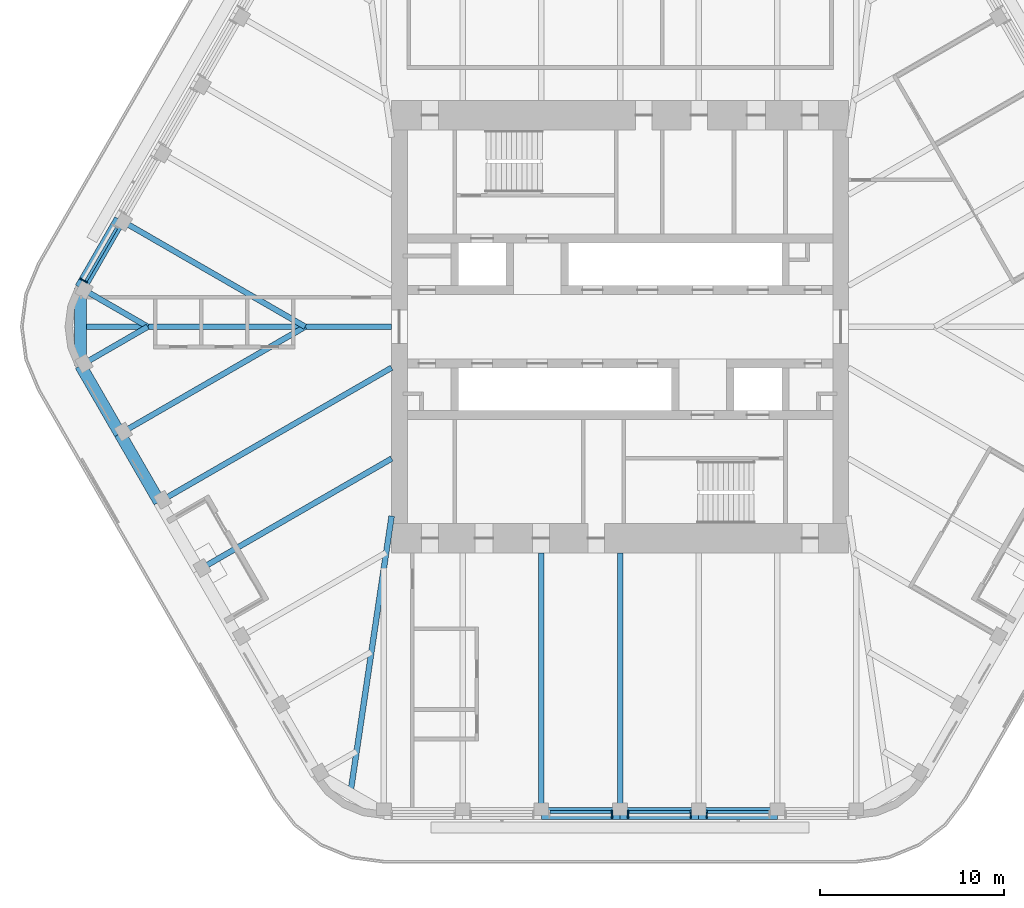
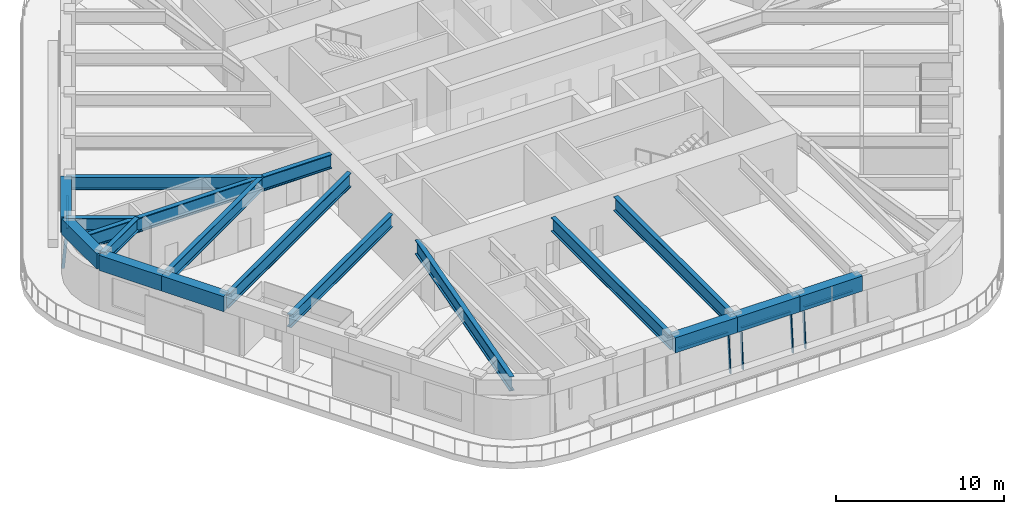
# One storey, part 3 of 19: 17 beams, 9 members, 4 elements without a shape of their own.
"""IFC4 building model written with IfcOpenShell, lengths in metres."""

from ifc_helpers import new_model, si_unit, direction, frame, origin, origin_2d, place, context, subcontext, project, spatial, rectangle, i_section, extrude, material, material_profile, profile_set, type_object, element, aggregate, save


model = new_model("IFC4")

# Units and contexts
model_context = context("Model", 3, precision=1e-05, world=origin(), true_north=direction((0.0, 1.0)))
body_context = subcontext(model_context, "Body", "Model", "MODEL_VIEW")
ifc_project = project(units=[si_unit("LENGTHUNIT", "METRE"), si_unit("AREAUNIT", "SQUARE_METRE"), si_unit("VOLUMEUNIT", "CUBIC_METRE"), si_unit("PLANEANGLEUNIT", "RADIAN"), si_unit("MASSUNIT", "GRAM", prefix="KILO")], contexts=[model_context])

# Site, building, storey
site_placement = place(None, origin())
site = spatial("IfcSite", under=ifc_project, at=site_placement, CompositionType="ELEMENT")
building_placement = place(site_placement, origin())
building = spatial("IfcBuilding", under=site, at=building_placement, Name="Tarfa Lantern Tower", CompositionType="ELEMENT")
storey_placement = place(building_placement, frame((0.0, 0.0, 387.10009765625)))
storey = spatial("IfcBuildingStorey", under=building, at=storey_placement, Name="L88", CompositionType="ELEMENT", Elevation=387.10009765625)

# Curtain wall, member
ifc_material_1 = material(Name="Aluminium framed curtain wall", Category="aluminium")
curtain_wall_type = type_object("IfcCurtainWallType", Name="CW4 CANTED GLAZING EXECUTIVE ZONE 2900", PredefinedType="USERDEFINED", material=ifc_material_1)
curtain_wall_1_placement = place(storey_placement, origin())
curtain_wall_1 = element("IfcCurtainWall", 1, at=curtain_wall_1_placement, inside=storey, type_object=curtain_wall_type, Name="CW4 NW L88", ObjectType="CURTAIN WALL", PredefinedType="USERDEFINED")
ifc_material_2 = material(Name="Aluminium mullion", Category="aluminium")
ifc_material_profile_1 = material_profile(ifc_material_2, rectangle(XDim=0.06494140625, YDim=0.199951171875, at=origin_2d()), Name="AL MULLION 65x200")
ifc_profile_set_1 = profile_set([ifc_material_profile_1], Name="Aluminium mullion")
member_type_1 = type_object("IfcMemberType", Name="CWM1 MULLION 65x200", PredefinedType="MULLION", material=ifc_profile_set_1)
member_1_placement = place(storey_placement, frame((-29.286376953125, 2.574462890625, 0.0), z_axis=(0.074399820079, -0.042945555672, 0.996303340364), x_axis=(0.499919672301, 0.866071776036, 0.0)))
member_1 = element("IfcMember", 2, at=member_1_placement, type_object=member_type_1, Name="CW4 mullion 2", PredefinedType="MULLION", context=body_context, shape_type="SweptSolid", body=[
    extrude(rectangle(XDim=0.06494140625, YDim=0.199951171875, at=origin_2d()), origin(), (0.0, 0.0, 1.0), 2.91064453125),
])

curtain_wall_2_placement = place(storey_placement, origin())
curtain_wall_2 = element("IfcCurtainWall", 3, at=curtain_wall_2_placement, inside=storey, type_object=curtain_wall_type, Name="CW4 S L88", ObjectType="CURTAIN WALL", PredefinedType="USERDEFINED")
member_2_placement = place(storey_placement, frame((-0.4326171875, -26.64990234375, 0.0), z_axis=(0.0, 0.085891213166, 0.99630452147), x_axis=(-1.0, 0.0, 0.0)))
member_2 = element("IfcMember", 4, at=member_2_placement, type_object=member_type_1, Name="CW4 mullion 2", PredefinedType="MULLION", context=body_context, shape_type="SweptSolid", body=[
    extrude(rectangle(XDim=0.06494140625, YDim=0.199951171875, at=origin_2d()), origin(), (0.0, 0.0, 1.0), 2.91064453125),
])

# Curtain wall, members
curtain_wall_3_placement = place(storey_placement, origin())
curtain_wall_3 = element("IfcCurtainWall", 5, at=curtain_wall_3_placement, inside=storey, type_object=curtain_wall_type, Name="CW4 S L88", ObjectType="CURTAIN WALL", PredefinedType="USERDEFINED")
member_3_placement = place(storey_placement, frame((0.4326171875, -26.64990234375, 0.0), z_axis=(0.0, 0.085891213166, 0.99630452147), x_axis=(-1.0, 0.0, 0.0)))
member_3 = element("IfcMember", 6, at=member_3_placement, type_object=member_type_1, Name="CW4 mullion 1", PredefinedType="MULLION", context=body_context, shape_type="SweptSolid", body=[
    extrude(rectangle(XDim=0.06494140625, YDim=0.199951171875, at=origin_2d()), origin(), (0.0, 0.0, 1.0), 2.91064453125),
])
member_4_placement = place(storey_placement, frame((3.849609375, -26.64990234375, 0.0), z_axis=(0.0, 0.085891213166, 0.99630452147), x_axis=(-1.0, 0.0, 0.0)))
member_4 = element("IfcMember", 7, at=member_4_placement, type_object=member_type_1, Name="CW4 mullion 2", PredefinedType="MULLION", context=body_context, shape_type="SweptSolid", body=[
    extrude(rectangle(XDim=0.06494140625, YDim=0.199951171875, at=origin_2d()), origin(), (0.0, 0.0, 1.0), 2.91064453125),
])

# Curtain wall, member
curtain_wall_4_placement = place(storey_placement, origin())
curtain_wall_4 = element("IfcCurtainWall", 8, at=curtain_wall_4_placement, inside=storey, type_object=curtain_wall_type, Name="CW4 S L88", ObjectType="CURTAIN WALL", PredefinedType="USERDEFINED")
member_5_placement = place(storey_placement, frame((4.714599609375, -26.64990234375, 0.0), z_axis=(0.0, 0.085891213166, 0.99630452147), x_axis=(-1.0, 0.0, 0.0)))
member_5 = element("IfcMember", 9, at=member_5_placement, type_object=member_type_1, Name="CW4 mullion 1", PredefinedType="MULLION", context=body_context, shape_type="SweptSolid", body=[
    extrude(rectangle(XDim=0.06494140625, YDim=0.199951171875, at=origin_2d()), origin(), (0.0, 0.0, 1.0), 2.91064453125),
])

# Member
ifc_material_3 = material(Name="Aluminium transom", Category="aluminium")
ifc_material_profile_2 = material_profile(ifc_material_3, rectangle(XDim=0.14990234375, YDim=0.06494140625, at=origin_2d()), Name="AL TRANSOM 150x65")
ifc_profile_set_2 = profile_set([ifc_material_profile_2], Name="Aluminium transom")
member_type_2 = type_object("IfcMemberType", Name="CWT1 TRANSOM 150x65", PredefinedType="USERDEFINED", material=ifc_profile_set_2)
member_6_placement = place(storey_placement, frame((-27.380126953125, 5.382080078125, 2.867431640625), z_axis=(-0.499930512259, -0.866065518833, 0.0), x_axis=(0.866065518833, -0.499930512259, 0.0)))
member_6 = element("IfcMember", 10, at=member_6_placement, type_object=member_type_2, Name="CW4 transom 1.2", ObjectType="TRANSOM", PredefinedType="USERDEFINED", context=body_context, shape_type="SweptSolid", body=[
    extrude(rectangle(XDim=0.14990234375, YDim=0.06494140625, at=origin_2d()), origin(), (0.0, 0.0, 1.0), 3.35205078125),
])

aggregate(curtain_wall_1, [member_1, member_6])

member_7_placement = place(storey_placement, frame((-3.81689453125, -26.40283203125, 2.867431640625), z_axis=(1.0, 0.0, 0.0), x_axis=(0.0, 1.0, 0.0)))
member_7 = element("IfcMember", 11, at=member_7_placement, type_object=member_type_2, Name="CW4 transom 1.2", ObjectType="TRANSOM", PredefinedType="USERDEFINED", context=body_context, shape_type="SweptSolid", body=[
    extrude(rectangle(XDim=0.14990234375, YDim=0.06494140625, at=origin_2d()), origin(), (0.0, 0.0, 1.0), 3.351806640625),
])

aggregate(curtain_wall_2, [member_2, member_7])

member_8_placement = place(storey_placement, frame((0.465087890625, -26.40283203125, 2.867431640625), z_axis=(1.0, 0.0, 0.0), x_axis=(0.0, 1.0, 0.0)))
member_8 = element("IfcMember", 12, at=member_8_placement, type_object=member_type_2, Name="CW4 transom 1.2", ObjectType="TRANSOM", PredefinedType="USERDEFINED", context=body_context, shape_type="SweptSolid", body=[
    extrude(rectangle(XDim=0.14990234375, YDim=0.06494140625, at=origin_2d()), origin(), (0.0, 0.0, 1.0), 3.351806640625),
])

aggregate(curtain_wall_3, [member_3, member_4, member_8])

member_9_placement = place(storey_placement, frame((4.7470703125, -26.40283203125, 2.867431640625), z_axis=(1.0, 0.0, 0.0), x_axis=(0.0, 1.0, 0.0)))
member_9 = element("IfcMember", 13, at=member_9_placement, type_object=member_type_2, Name="CW4 transom 1.2", ObjectType="TRANSOM", PredefinedType="USERDEFINED", context=body_context, shape_type="SweptSolid", body=[
    extrude(rectangle(XDim=0.14990234375, YDim=0.06494140625, at=origin_2d()), origin(), (0.0, 0.0, 1.0), 3.35205078125),
])

aggregate(curtain_wall_4, [member_5, member_9])

# Beams
ifc_material_4 = material(Name="Concrete C80/95", Category="concrete")
ifc_material_profile_3 = material_profile(ifc_material_4, rectangle(XDim=0.64990234375, YDim=1.10009765625, at=origin_2d()), Name="RC 650x1100")
ifc_profile_set_3 = profile_set([ifc_material_profile_3], Name="Concrete C80/95")
beam_type_1 = type_object("IfcBeamType", Name="EB4 RC 650x1100", PredefinedType="SPANDREL", material=ifc_profile_set_3)
beam_1_placement = place(storey_placement, frame((-27.205810546875, 5.818359375, 3.449951171875), z_axis=(-0.499984039138, -0.866034618596, 0.0), x_axis=(0.866034618596, -0.499984039138, 0.0)))
element("IfcBeam", 14, at=beam_1_placement, inside=storey, type_object=beam_type_1, Name="Edge beam NW5", PredefinedType="SPANDREL", context=body_context, shape_type="SweptSolid", body=[
    extrude(rectangle(XDim=0.64990234375, YDim=1.10009765625, at=origin_2d()), origin(), (0.0, 0.0, 1.0), 4.281982421875),
])
beam_2_placement = place(storey_placement, frame((-29.3466796875, 2.110107421875, 3.449951171875), z_axis=(0.0, -1.0, 0.0), x_axis=(1.0, 0.0, 0.0)))
element("IfcBeam", 15, at=beam_2_placement, inside=storey, type_object=beam_type_1, Name="Edge beam NW6", PredefinedType="SPANDREL", context=body_context, shape_type="SweptSolid", body=[
    extrude(rectangle(XDim=0.64990234375, YDim=1.10009765625, at=origin_2d()), origin(), (0.0, 0.0, 1.0), 4.22021484375),
])
for number, where, z_axis, x_axis, name in (
    (16, (-29.3466796875, -2.110107421875, 3.449951171875), (0.499984039138, -0.866034618596, 0.0), (0.866034618596, 0.499984039138, 0.0), "Edge beam SW0"),
    (17, (-27.205810546875, -5.818359375, 3.449951171875), (0.500026801138, -0.866009929587, 0.0), (0.866009929587, 0.500026801138, 0.0), "Edge beam SW1"),
    (18, (-4.281982421875, -26.469970703125, 3.449951171875), (1.0, 0.0, 0.0), (0.0, 1.0, 0.0), "Edge beam S2"),
    (19, (0.0, -26.469970703125, 3.449951171875), (1.0, 0.0, 0.0), (0.0, 1.0, 0.0), "Edge beam S3"),
    (20, (4.281982421875, -26.469970703125, 3.449951171875), (1.0, 0.0, 0.0), (0.0, 1.0, 0.0), "Edge beam S4"),
):
    element("IfcBeam", number, at=place(storey_placement, frame(where, z_axis=z_axis, x_axis=x_axis)), inside=storey, type_object=beam_type_1, Name=name, PredefinedType="SPANDREL", context=body_context, shape_type="SweptSolid", body=[
        extrude(rectangle(XDim=0.64990234375, YDim=1.10009765625, at=origin_2d()), origin(), (0.0, 0.0, 1.0), 4.281982421875),
    ])
ifc_material_5 = material(Name="Steel S460M", Category="steel")
ifc_material_profile_4 = material_profile(ifc_material_5, i_section(OverallWidth=0.302001953125, OverallDepth=1.008056640625, WebThickness=0.02099609375, FlangeThickness=0.0400390625, FilletRadius=0.030029296875, at=origin_2d()), Name="UB1016x305x349")
ifc_profile_set_4 = profile_set([ifc_material_profile_4], Name="Steel S460M")
beam_type_2 = type_object("IfcBeamType", Name="UB1016x305x349", PredefinedType="BEAM", material=ifc_profile_set_4)
beam_3_placement = place(storey_placement, frame((-25.064697265625, -9.526611328125, 3.495849609375), z_axis=(0.866029591389, 0.499992746786, 0.0), x_axis=(-0.499992746786, 0.866029591389, 0.0)))
element("IfcBeam", 21, at=beam_3_placement, inside=storey, type_object=beam_type_2, Name="Floor beam SW2", PredefinedType="BEAM", context=body_context, shape_type="SweptSolid", body=[
    extrude(i_section(OverallWidth=0.302001953125, OverallDepth=1.008056640625, WebThickness=0.02099609375, FlangeThickness=0.0400390625, FilletRadius=0.030029296875, at=origin_2d()), origin(), (0.0, 0.0, 1.0), 14.594970703125),
])
for number, where, z_axis, x_axis, name in (
    (22, (-4.281982421875, -26.469970703125, 3.495849609375), (0.0, 1.0, 0.0), (-1.0, 0.0, 0.0), "Floor beam S2"),
    (23, (0.0, -26.469970703125, 3.495849609375), (0.0, 1.0, 0.0), (-1.0, 0.0, 0.0), "Floor beam S3"),
):
    element("IfcBeam", number, at=place(storey_placement, frame(where, z_axis=z_axis, x_axis=x_axis)), inside=storey, type_object=beam_type_2, Name=name, PredefinedType="BEAM", context=body_context, shape_type="SweptSolid", body=[
        extrude(i_section(OverallWidth=0.302001953125, OverallDepth=1.008056640625, WebThickness=0.02099609375, FlangeThickness=0.0400390625, FilletRadius=0.030029296875, at=origin_2d()), origin(), (0.0, 0.0, 1.0), 14.169921875),
    ])
ifc_material_profile_5 = material_profile(ifc_material_5, i_section(OverallWidth=0.30859375, OverallDepth=1.036376953125, WebThickness=0.030029296875, FlangeThickness=0.05419921875, FilletRadius=0.030029296875, at=origin_2d()), Name="UB1016x305x487")
ifc_profile_set_5 = profile_set([ifc_material_profile_5], Name="Steel S460M")
beam_type_3 = type_object("IfcBeamType", Name="UB1016x305x487", PredefinedType="BEAM", material=ifc_profile_set_5)
beam_4_placement = place(storey_placement, frame((-12.425048828125, 0.0, 3.481689453125), z_axis=(-1.0, 0.0, 0.0), x_axis=(0.0, -1.0, 0.0)))
element("IfcBeam", 24, at=beam_4_placement, inside=storey, type_object=beam_type_3, Name="Hip girder W", PredefinedType="BEAM", context=body_context, shape_type="SweptSolid", body=[
    extrude(i_section(OverallWidth=0.30859375, OverallDepth=1.036376953125, WebThickness=0.030029296875, FlangeThickness=0.05419921875, FilletRadius=0.030029296875, at=origin_2d()), origin(), (0.0, 0.0, 1.0), 16.921630859375),
])
beam_5_placement = place(storey_placement, frame((-12.425048828125, -10.300048828125, 3.481689453125), z_axis=(-0.147127069073, -0.989117599452, 0.0), x_axis=(0.989117599452, -0.147127069073, 0.0)))
element("IfcBeam", 25, at=beam_5_placement, inside=storey, type_object=beam_type_3, Name="Hip girder SW", PredefinedType="BEAM", context=body_context, shape_type="SweptSolid", body=[
    extrude(i_section(OverallWidth=0.30859375, OverallDepth=1.036376953125, WebThickness=0.030029296875, FlangeThickness=0.05419921875, FilletRadius=0.030029296875, at=origin_2d()), origin(), (0.0, 0.0, 1.0), 15.28125),
])
ifc_material_profile_6 = material_profile(ifc_material_5, i_section(OverallWidth=0.305419921875, OverallDepth=0.91845703125, WebThickness=0.017333984375, FlangeThickness=0.02783203125, FilletRadius=0.01904296875, at=origin_2d()), Name="UB914x305x253")
ifc_profile_set_6 = profile_set([ifc_material_profile_6], Name="Steel S460M")
beam_type_4 = type_object("IfcBeamType", Name="UB914x305x253", PredefinedType="BEAM", material=ifc_profile_set_6)
beam_6_placement = place(storey_placement, frame((-27.205810546875, 5.818359375, 3.540771484375), z_axis=(0.866024171998, -0.500002133511, 0.0), x_axis=(0.500002133511, 0.866024171998, 0.0)))
element("IfcBeam", 26, at=beam_6_placement, inside=storey, type_object=beam_type_4, Name="Floor beam NW5", PredefinedType="BEAM", context=body_context, shape_type="SweptSolid", body=[
    extrude(i_section(OverallWidth=0.305419921875, OverallDepth=0.91845703125, WebThickness=0.017333984375, FlangeThickness=0.02783203125, FilletRadius=0.01904296875, at=origin_2d()), origin(), (0.0, 0.0, 1.0), 11.63671875),
])
for number, where, z_axis, x_axis, name in (
    (27, (-29.3466796875, 2.110107421875, 3.540771484375), (0.866009274789, -0.500027935199, 0.0), (0.500027935199, 0.866009274789, 0.0), "Floor beam NW6"),
    (28, (-29.3466796875, -2.110107421875, 3.540771484375), (0.866009274789, 0.500027935199, 0.0), (-0.500027935199, 0.866009274789, 0.0), "Floor beam SW0"),
):
    element("IfcBeam", number, at=place(storey_placement, frame(where, z_axis=z_axis, x_axis=x_axis)), inside=storey, type_object=beam_type_4, Name=name, PredefinedType="BEAM", context=body_context, shape_type="SweptSolid", body=[
        extrude(i_section(OverallWidth=0.305419921875, OverallDepth=0.91845703125, WebThickness=0.017333984375, FlangeThickness=0.02783203125, FilletRadius=0.01904296875, at=origin_2d()), origin(), (0.0, 0.0, 1.0), 4.219970703125),
    ])
beam_7_placement = place(storey_placement, frame((-27.205810546875, -5.818359375, 3.540771484375), z_axis=(0.866024171998, 0.500002133511, 0.0), x_axis=(-0.500002133511, 0.866024171998, 0.0)))
element("IfcBeam", 29, at=beam_7_placement, inside=storey, type_object=beam_type_4, Name="Floor beam SW1", PredefinedType="BEAM", context=body_context, shape_type="SweptSolid", body=[
    extrude(i_section(OverallWidth=0.305419921875, OverallDepth=0.91845703125, WebThickness=0.017333984375, FlangeThickness=0.02783203125, FilletRadius=0.01904296875, at=origin_2d()), origin(), (0.0, 0.0, 1.0), 11.63671875),
])
beam_8_placement = place(storey_placement, frame((-22.923583984375, -13.235107421875, 3.540771484375), z_axis=(0.86601856927, 0.500011837539, 0.0), x_axis=(-0.500011837539, 0.86601856927, 0.0)))
element("IfcBeam", 30, at=beam_8_placement, inside=storey, type_object=beam_type_4, Name="Floor beam SW3", PredefinedType="BEAM", context=body_context, shape_type="SweptSolid", body=[
    extrude(i_section(OverallWidth=0.305419921875, OverallDepth=0.91845703125, WebThickness=0.017333984375, FlangeThickness=0.02783203125, FilletRadius=0.01904296875, at=origin_2d()), origin(), (0.0, 0.0, 1.0), 12.122802734375),
])

save(model, "model.ifc")
